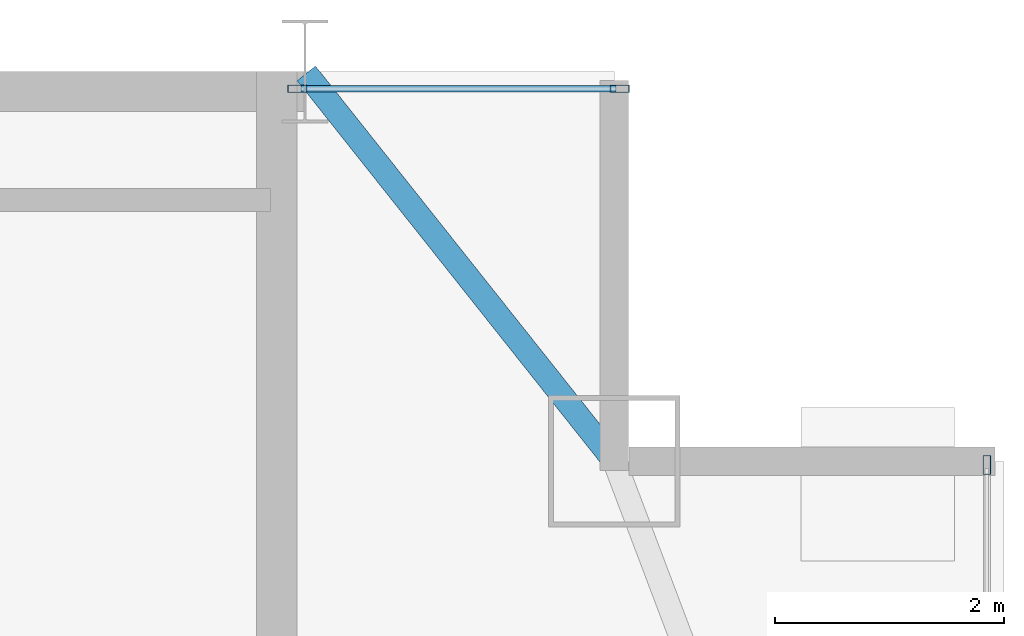
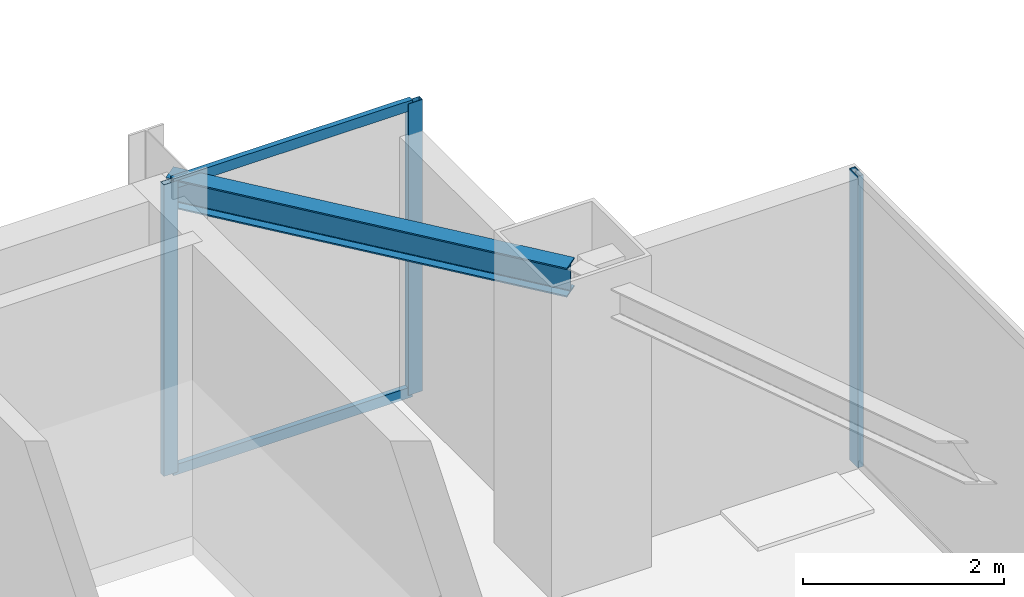
# One storey, part 24 of 33: 5 members, 1 beam, 2 elements without a shape of their own.
"""IFC4 building model written with IfcOpenShell, lengths in metres."""

from ifc_helpers import new_model, si_unit, direction, frame, origin, origin_2d, place, context, subcontext, project, spatial, hollow_rectangle, i_section, extrude, source, transform, mapped, material, layer, layer_set, material_profile, profile_set, type_object, type_shapes, element, aggregate, save


model = new_model("IFC4")

# Units and contexts
model_context = context("Model", 3, precision=1e-05, world=origin(), true_north=direction((0.0, 1.0)))
body_context = subcontext(model_context, "Body", "Model", "MODEL_VIEW")
ifc_project = project(units=[si_unit("LENGTHUNIT", "METRE"), si_unit("AREAUNIT", "SQUARE_METRE"), si_unit("VOLUMEUNIT", "CUBIC_METRE"), si_unit("PLANEANGLEUNIT", "RADIAN"), si_unit("MASSUNIT", "GRAM", prefix="KILO")], contexts=[model_context])

# Site, building, storey
site_placement = place(None, origin())
site = spatial("IfcSite", under=ifc_project, at=site_placement, CompositionType="ELEMENT")
building_placement = place(site_placement, origin())
building = spatial("IfcBuilding", under=site, at=building_placement, Name="Varnel Quay Broadcast Tower", CompositionType="ELEMENT")
storey_placement = place(building_placement, frame((0.0, 0.0, 199.800048828125)))
storey = spatial("IfcBuildingStorey", under=building, at=storey_placement, Name="L49", CompositionType="ELEMENT", Elevation=199.800048828125)

# Beam
ifc_material_1 = material(Name="Structural Steel CSA G40.21 350W", Category="steel")
ifc_material_profile_1 = material_profile(ifc_material_1, i_section(OverallWidth=0.205078125, OverallDepth=0.35400390625, WebThickness=0.009521484375, FlangeThickness=0.016845703125, FilletRadius=0.012939453125, at=origin_2d()), Name="W360X79")
ifc_profile_set_1 = profile_set([ifc_material_profile_1], Name="Structural Steel CSA G40.21 350W")
beam_type = type_object("IfcBeamType", Name="Beam_W360X79", PredefinedType="SPANDREL", material=ifc_profile_set_1)
shared_shape_1 = source(origin(), body_context, "Body", "SweptSolid", [
    extrude(i_section(OverallWidth=0.205078125, OverallDepth=0.35400390625, WebThickness=0.009521484375, FlangeThickness=0.016845703125, FilletRadius=0.012939453125, at=origin_2d()), origin(), (0.0, 0.0, 1.0), 4.301513671875),
])
type_shapes(beam_type, [shared_shape_1])
beam_placement = place(storey_placement, frame((52.412353515625, 46.7841796875, 3.373046875), z_axis=(0.621936399401, -0.783067758946, 0.0), x_axis=(0.783067758946, 0.621936399401, 0.0)))
element("IfcBeam", 1, at=beam_placement, inside=storey, type_object=beam_type, Name="L49 NE Tie Spandrel", PredefinedType="SPANDREL", context=body_context, shape_type="MappedRepresentation", body=[
    mapped(shared_shape_1, transform((0.0, 0.0, 0.0), x_axis=(1.0, 0.0, 0.0), y_axis=(0.0, 1.0, 0.0), z_axis=(0.0, 0.0, 1.0), scale=1.0)),
])

# Curtain wall, member
ifc_material_2 = material(Name="Anodised Bronze Aluminium 6063-T6", Category="aluminium")
ifc_layer = layer(ifc_material_2, 0.18994140625, Name="Anodised Bronze Aluminium 6063-T6")
ifc_layer_set = layer_set([ifc_layer], Name="Anodised Bronze Aluminium 6063-T6")
curtain_wall_type = type_object("IfcCurtainWallType", Name="CW_UpperTower", PredefinedType="NOTDEFINED", material=ifc_layer_set)
curtain_wall_1_placement = place(storey_placement, origin())
curtain_wall_1 = element("IfcCurtainWall", 2, at=curtain_wall_1_placement, inside=storey, type_object=curtain_wall_type, Name="L49 East Unitised Curtain Wall", PredefinedType="NOTDEFINED")
ifc_material_profile_2 = material_profile(ifc_material_2, hollow_rectangle(XDim=0.06494140625, YDim=0.1650390625, WallThickness=0.00341796875, at=origin_2d()), Name="ALU65X165X3.5")
ifc_profile_set_2 = profile_set([ifc_material_profile_2], Name="Anodised Bronze Aluminium 6063-T6")
member_type_1 = type_object("IfcMemberType", Name="Mull_CWS-03", PredefinedType="MULLION", material=ifc_profile_set_2)
shared_shape_2 = source(origin(), body_context, "Body", "SweptSolid", [
    extrude(hollow_rectangle(XDim=0.06494140625, YDim=0.1650390625, WallThickness=0.00341796875, at=origin_2d()), origin(), (0.0, 0.0, 1.0), 3.550048828125),
])
type_shapes(member_type_1, [shared_shape_2])
member_1_placement = place(storey_placement, frame((58.35009765625, 43.367431640625, 0.0), z_axis=(0.0, 0.0, 1.0), x_axis=(-1.0, 0.0, 0.0)))
member_1 = element("IfcMember", 3, at=member_1_placement, type_object=member_type_1, Name="CWS-03 mullion 3", PredefinedType="MULLION", context=body_context, shape_type="MappedRepresentation", body=[
    mapped(shared_shape_2, transform((0.0, 0.0, 0.0), x_axis=(1.0, 0.0, 0.0), y_axis=(0.0, 1.0, 0.0), z_axis=(0.0, 0.0, 1.0), scale=1.0)),
])
aggregate(curtain_wall_1, [member_1])

# Curtain wall, members
curtain_wall_2_placement = place(storey_placement, origin())
curtain_wall_2 = element("IfcCurtainWall", 4, at=curtain_wall_2_placement, inside=storey, type_object=curtain_wall_type, Name="L49 NE Wing Curtain Wall", PredefinedType="NOTDEFINED")
member_2_placement = place(storey_placement, frame((52.33251953125, 46.64990234375, 0.0), z_axis=(0.0, 0.0, 1.0), x_axis=(0.0, 1.0, 0.0)))
member_2 = element("IfcMember", 5, at=member_2_placement, type_object=member_type_1, Name="CWS-03 mullion 1", PredefinedType="MULLION", context=body_context, shape_type="MappedRepresentation", body=[
    mapped(shared_shape_2, transform((0.0, 0.0, 0.0), x_axis=(1.0, 0.0, 0.0), y_axis=(0.0, 1.0, 0.0), z_axis=(0.0, 0.0, 1.0), scale=1.0)),
])
member_3_placement = place(storey_placement, frame((55.1474609375, 46.64990234375, 0.0), z_axis=(0.0, 0.0, 1.0), x_axis=(0.0, 1.0, 0.0)))
member_3 = element("IfcMember", 6, at=member_3_placement, type_object=member_type_1, Name="CWS-03 mullion 2", PredefinedType="MULLION", context=body_context, shape_type="MappedRepresentation", body=[
    mapped(shared_shape_2, transform((0.0, 0.0, 0.0), x_axis=(1.0, 0.0, 0.0), y_axis=(0.0, 1.0, 0.0), z_axis=(0.0, 0.0, 1.0), scale=1.0)),
])
ifc_material_profile_3 = material_profile(ifc_material_2, hollow_rectangle(XDim=0.06005859375, YDim=0.125, WallThickness=0.0029296875, at=origin_2d()), Name="ALU60X125X3")
ifc_profile_set_3 = profile_set([ifc_material_profile_3], Name="Anodised Bronze Aluminium 6063-T6")
member_type_2 = type_object("IfcMemberType", Name="Tran_CWS-03", PredefinedType="USERDEFINED", material=ifc_profile_set_3)
shared_shape_3 = source(origin(), body_context, "Body", "SweptSolid", [
    extrude(hollow_rectangle(XDim=0.06005859375, YDim=0.125, WallThickness=0.0029296875, at=origin_2d()), origin(), (0.0, 0.0, 1.0), 2.75),
])
type_shapes(member_type_2, [shared_shape_3])
member_4_placement = place(storey_placement, frame((52.364990234375, 46.64990234375, 0.030029296875), z_axis=(1.0, 0.0, 0.0), x_axis=(0.0, 1.0, 0.0)))
member_4 = element("IfcMember", 7, at=member_4_placement, type_object=member_type_2, Name="CWS-03 transom 1.1", ObjectType="TRANSOM", PredefinedType="USERDEFINED", context=body_context, shape_type="MappedRepresentation", body=[
    mapped(shared_shape_3, transform((0.0, 0.0, 0.0), x_axis=(1.0, 0.0, 0.0), y_axis=(0.0, 1.0, 0.0), z_axis=(0.0, 0.0, 1.0), scale=1.0)),
])
member_5_placement = place(storey_placement, frame((52.364990234375, 46.64990234375, 3.52001953125), z_axis=(1.0, 0.0, 0.0), x_axis=(0.0, 1.0, 0.0)))
member_5 = element("IfcMember", 8, at=member_5_placement, type_object=member_type_2, Name="CWS-03 transom 1.2", ObjectType="TRANSOM", PredefinedType="USERDEFINED", context=body_context, shape_type="MappedRepresentation", body=[
    mapped(shared_shape_3, transform((0.0, 0.0, 0.0), x_axis=(1.0, 0.0, 0.0), y_axis=(0.0, 1.0, 0.0), z_axis=(0.0, 0.0, 1.0), scale=1.0)),
])
aggregate(curtain_wall_2, [member_2, member_3, member_4, member_5])

save(model, "model.ifc")
